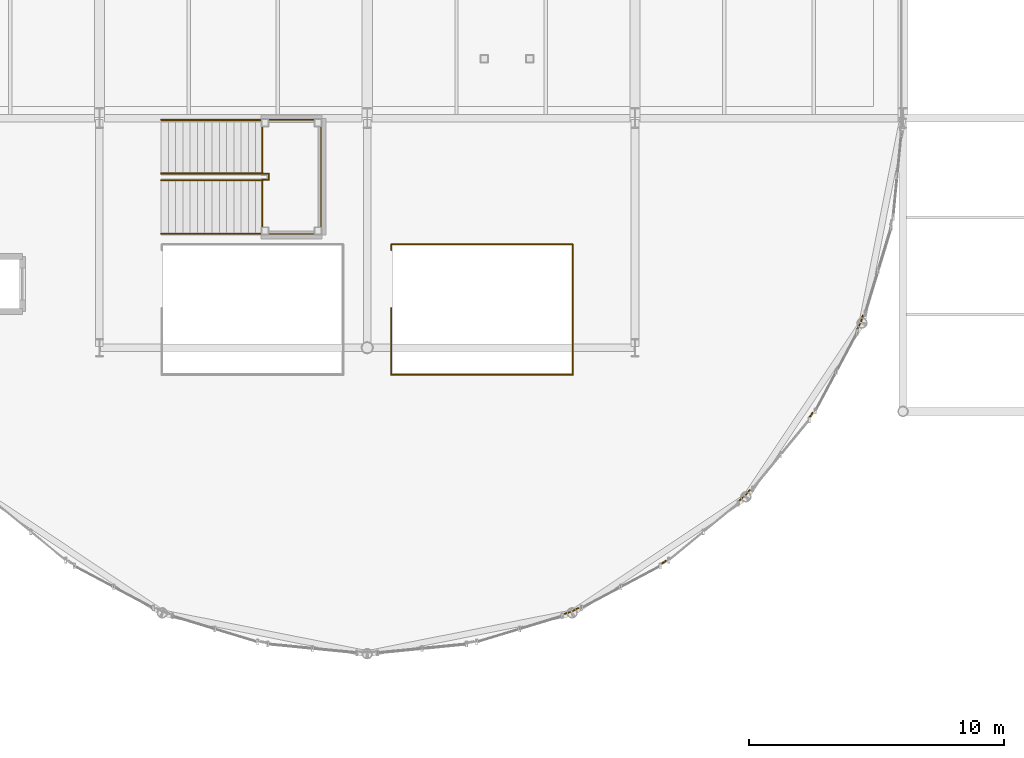
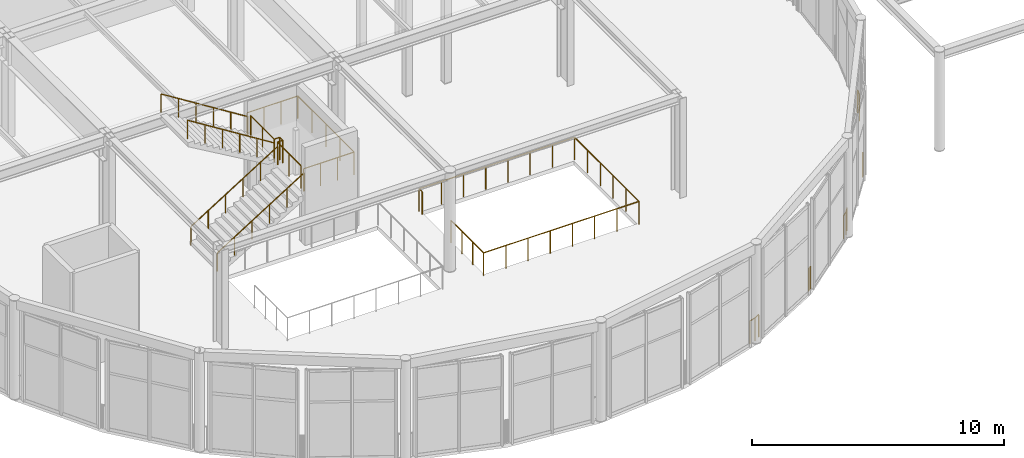
# One storey, part 120 of 143: 13 railings.
"""IFC4 building model written with IfcOpenShell, lengths in metres."""

from ifc_helpers import new_model, si_unit, direction, frame, origin, origin_2d, place, context, subcontext, project, spatial, circle, extrude, material, type_object, element, save


model = new_model("IFC4")

# Units and contexts
model_context = context("Model", 3, precision=1e-05, world=origin(), true_north=direction((0.0, 1.0)))
body_context = subcontext(model_context, "Body", "Model", "MODEL_VIEW")
ifc_project = project(units=[si_unit("LENGTHUNIT", "METRE"), si_unit("AREAUNIT", "SQUARE_METRE"), si_unit("VOLUMEUNIT", "CUBIC_METRE"), si_unit("PLANEANGLEUNIT", "RADIAN"), si_unit("MASSUNIT", "GRAM", prefix="KILO")], contexts=[model_context])

# Site, building, storey
site_placement = place(None, origin())
site = spatial("IfcSite", under=ifc_project, at=site_placement, CompositionType="ELEMENT")
building_placement = place(site_placement, origin())
building = spatial("IfcBuilding", under=site, at=building_placement, Name="Marlcrest Central Station", CompositionType="ELEMENT")
storey_placement = place(building_placement, frame((0.0, 0.0, 4.800048828125)))
storey = spatial("IfcBuildingStorey", under=building, at=storey_placement, Name="L01", CompositionType="ELEMENT", Elevation=4.800048828125)

# Railings
ifc_material_1 = material(Name="Stainless steel and laminated glass concourse balustrade", Category="steel")
railing_type_1 = type_object("IfcRailingType", Name="GR-02", PredefinedType="BALUSTRADE", material=ifc_material_1)
railing_1_placement = place(storey_placement, frame((103.8701171875, 17.9599609375, 2.5)))
element("IfcRailing", 1, at=railing_1_placement, inside=storey, type_object=railing_type_1, Name="hr-L01-00185", PredefinedType="BALUSTRADE", context=body_context, shape_type="SweptSolid", body=[
    extrude(circle(Radius=0.02392578125, at=origin_2d()), frame((0.0, 0.0, 1.09619140625), z_axis=(1.0, 0.0, 0.0), x_axis=(0.0, 1.0, 0.0)), (0.0, 0.0, 1.0), 2.31982421875),
    extrude(circle(Radius=0.02392578125, at=origin_2d()), frame((2.31982421875, 0.0, 1.09619140625), z_axis=(0.0, 1.0, 0.0), x_axis=(-1.0, 0.0, 0.0)), (0.0, 0.0, 1.0), 4.47998046875),
    extrude(circle(Radius=0.02392578125, at=origin_2d()), frame((2.31982421875, 4.47998046875, 1.09619140625), z_axis=(-1.0, 0.0, 0.0), x_axis=(0.0, -1.0, 0.0)), (0.0, 0.0, 1.0), 2.31982421875),
    extrude(circle(Radius=0.02099609375, at=origin_2d()), origin(), (0.0, 0.0, 1.0), 1.072021484375),
    extrude(circle(Radius=0.02099609375, at=origin_2d()), frame((0.773193359375, 0.0, 0.0)), (0.0, 0.0, 1.0), 1.072021484375),
    extrude(circle(Radius=0.02099609375, at=origin_2d()), frame((1.546630859375, 0.0, 0.0)), (0.0, 0.0, 1.0), 1.072021484375),
    extrude(circle(Radius=0.02099609375, at=origin_2d()), frame((2.31982421875, 0.0, 0.0)), (0.0, 0.0, 1.0), 1.072021484375),
    extrude(circle(Radius=0.02099609375, at=origin_2d()), frame((2.31982421875, 1.1201171875, 0.0)), (0.0, 0.0, 1.0), 1.072021484375),
    extrude(circle(Radius=0.02099609375, at=origin_2d()), frame((2.31982421875, 2.239990234375, 0.0)), (0.0, 0.0, 1.0), 1.072021484375),
    extrude(circle(Radius=0.02099609375, at=origin_2d()), frame((2.31982421875, 3.35986328125, 0.0)), (0.0, 0.0, 1.0), 1.072021484375),
    extrude(circle(Radius=0.02099609375, at=origin_2d()), frame((2.31982421875, 4.47998046875, 0.0)), (0.0, 0.0, 1.0), 1.072021484375),
    extrude(circle(Radius=0.02099609375, at=origin_2d()), frame((1.546630859375, 4.47998046875, 0.0)), (0.0, 0.0, 1.0), 1.072021484375),
    extrude(circle(Radius=0.02099609375, at=origin_2d()), frame((0.773193359375, 4.47998046875, 0.0)), (0.0, 0.0, 1.0), 1.072021484375),
    extrude(circle(Radius=0.02099609375, at=origin_2d()), frame((0.0, 4.47998046875, 0.0)), (0.0, 0.0, 1.0), 1.072021484375),
])
railing_2_placement = place(storey_placement, frame((127.428955078125, 14.762939453125, 0.0)))
element("IfcRailing", 2, at=railing_2_placement, inside=storey, type_object=railing_type_1, Name="hr-L01-00406", PredefinedType="BALUSTRADE", context=body_context, shape_type="SweptSolid", body=[
    extrude(circle(Radius=0.02392578125, at=origin_2d()), frame((0.0, 0.0, 1.09619140625), z_axis=(-0.291228991205, -0.956653372273, 0.0), x_axis=(0.956653372273, -0.291228991205, 0.0)), (0.0, 0.0, 1.0), 0.288330078125),
    extrude(circle(Radius=0.02392578125, at=origin_2d()), frame((-0.083984375, -0.27587890625, 1.09619140625), z_axis=(-0.469134550261, -0.883126703113, 0.0), x_axis=(0.883126703113, -0.469134550261, 0.0)), (0.0, 0.0, 1.0), 0.287841796875),
    extrude(circle(Radius=0.02099609375, at=origin_2d()), origin(), (0.0, 0.0, 1.0), 1.072021484375),
    extrude(circle(Radius=0.02099609375, at=origin_2d()), frame((-0.083984375, -0.27587890625, 0.0)), (0.0, 0.0, 1.0), 1.072021484375),
    extrude(circle(Radius=0.02099609375, at=origin_2d()), frame((-0.218994140625, -0.530029296875, 0.0)), (0.0, 0.0, 1.0), 1.072021484375),
])
railing_3_placement = place(storey_placement, frame((125.452880859375, 10.946044921875, 0.0)))
element("IfcRailing", 3, at=railing_3_placement, inside=storey, type_object=railing_type_1, Name="hr-L01-00407", PredefinedType="BALUSTRADE", context=body_context, shape_type="SweptSolid", body=[
    extrude(circle(Radius=0.02392578125, at=origin_2d()), frame((0.0, 0.0, 1.09619140625), z_axis=(-0.464410514373, -0.885620050665, 0.0), x_axis=(0.885620050665, -0.464410514373, 0.0)), (0.0, 0.0, 1.0), 0.09033203125),
    extrude(circle(Radius=0.02392578125, at=origin_2d()), frame((-0.0419921875, -0.080078125, 1.09619140625), z_axis=(-0.636952090501, -0.770903388504, 0.0), x_axis=(0.770903388504, -0.636952090501, 0.0)), (0.0, 0.0, 1.0), 0.08935546875),
    extrude(circle(Radius=0.02099609375, at=origin_2d()), origin(), (0.0, 0.0, 1.0), 1.072021484375),
    extrude(circle(Radius=0.02099609375, at=origin_2d()), frame((-0.0419921875, -0.080078125, 0.0)), (0.0, 0.0, 1.0), 1.072021484375),
    extrude(circle(Radius=0.02099609375, at=origin_2d()), frame((-0.098876953125, -0.14892578125, 0.0)), (0.0, 0.0, 1.0), 1.072021484375),
])
railing_4_placement = place(storey_placement, frame((122.989013671875, 7.916015625, 0.0)))
element("IfcRailing", 4, at=railing_4_placement, inside=storey, type_object=railing_type_1, Name="hr-L01-00408", PredefinedType="BALUSTRADE", context=body_context, shape_type="SweptSolid", body=[
    extrude(circle(Radius=0.02392578125, at=origin_2d()), frame((0.0, 0.0, 1.09619140625), z_axis=(-0.636420822133, -0.771342036425, 0.0), x_axis=(0.771342036425, -0.636420822133, 0.0)), (0.0, 0.0, 1.0), 0.28759765625),
    extrude(circle(Radius=0.02392578125, at=origin_2d()), frame((-0.18310546875, -0.221923828125, 1.09619140625), z_axis=(-0.771342036425, -0.636420822133, 0.0), x_axis=(0.636420822133, -0.771342036425, 0.0)), (0.0, 0.0, 1.0), 0.28759765625),
    extrude(circle(Radius=0.02099609375, at=origin_2d()), origin(), (0.0, 0.0, 1.0), 1.072021484375),
    extrude(circle(Radius=0.02099609375, at=origin_2d()), frame((-0.18310546875, -0.221923828125, 0.0)), (0.0, 0.0, 1.0), 1.072021484375),
    extrude(circle(Radius=0.02099609375, at=origin_2d()), frame((-0.405029296875, -0.405029296875, 0.0)), (0.0, 0.0, 1.0), 1.072021484375),
])
railing_5_placement = place(storey_placement, frame((119.702880859375, 5.14599609375, 0.0)))
element("IfcRailing", 5, at=railing_5_placement, inside=storey, type_object=railing_type_1, Name="hr-L01-00409", PredefinedType="BALUSTRADE", context=body_context, shape_type="SweptSolid", body=[
    extrude(circle(Radius=0.02392578125, at=origin_2d()), frame((0.0, 0.0, 1.09619140625), z_axis=(-0.770903388504, -0.636952090501, 0.0), x_axis=(0.636952090501, -0.770903388504, 0.0)), (0.0, 0.0, 1.0), 0.08935546875),
    extrude(circle(Radius=0.02392578125, at=origin_2d()), frame((-0.06884765625, -0.056884765625, 1.09619140625), z_axis=(-0.885620050665, -0.464410514373, 0.0), x_axis=(0.464410514373, -0.885620050665, 0.0)), (0.0, 0.0, 1.0), 0.09033203125),
    extrude(circle(Radius=0.02099609375, at=origin_2d()), origin(), (0.0, 0.0, 1.0), 1.072021484375),
    extrude(circle(Radius=0.02099609375, at=origin_2d()), frame((-0.06884765625, -0.056884765625, 0.0)), (0.0, 0.0, 1.0), 1.072021484375),
    extrude(circle(Radius=0.02099609375, at=origin_2d()), frame((-0.14892578125, -0.098876953125, 0.0)), (0.0, 0.0, 1.0), 1.072021484375),
])
railing_6_placement = place(storey_placement, frame((116.26708984375, 3.2900390625, 0.0)))
element("IfcRailing", 6, at=railing_6_placement, inside=storey, type_object=railing_type_1, Name="hr-L01-00410", PredefinedType="BALUSTRADE", context=body_context, shape_type="SweptSolid", body=[
    extrude(circle(Radius=0.02392578125, at=origin_2d()), frame((0.0, 0.0, 1.09619140625), z_axis=(-0.883126703113, -0.469134550261, 0.0), x_axis=(0.469134550261, -0.883126703113, 0.0)), (0.0, 0.0, 1.0), 0.287841796875),
    extrude(circle(Radius=0.02392578125, at=origin_2d()), frame((-0.254150390625, -0.135009765625, 1.09619140625), z_axis=(-0.956653372273, -0.291228991205, 0.0), x_axis=(0.291228991205, -0.956653372273, 0.0)), (0.0, 0.0, 1.0), 0.288330078125),
    extrude(circle(Radius=0.02099609375, at=origin_2d()), origin(), (0.0, 0.0, 1.0), 1.072021484375),
    extrude(circle(Radius=0.02099609375, at=origin_2d()), frame((-0.254150390625, -0.135009765625, 0.0)), (0.0, 0.0, 1.0), 1.072021484375),
    extrude(circle(Radius=0.02099609375, at=origin_2d()), frame((-0.530029296875, -0.218994140625, 0.0)), (0.0, 0.0, 1.0), 1.072021484375),
])
railing_7_placement = place(storey_placement, frame((116.06005859375, 12.43994140625, 0.0)))
element("IfcRailing", 7, at=railing_7_placement, inside=storey, type_object=railing_type_1, Name="hr-L01-00422", PredefinedType="BALUSTRADE", context=body_context, shape_type="SweptSolid", body=[
    extrude(circle(Radius=0.02392578125, at=origin_2d()), frame((0.0, 0.0, 1.09619140625), z_axis=(0.0, 1.0, 0.0), x_axis=(-1.0, 0.0, 0.0)), (0.0, 0.0, 1.0), 5.1201171875),
    extrude(circle(Radius=0.02392578125, at=origin_2d()), frame((0.0, 5.1201171875, 1.09619140625), z_axis=(-1.0, 0.0, 0.0), x_axis=(0.0, -1.0, 0.0)), (0.0, 0.0, 1.0), 7.1201171875),
    extrude(circle(Radius=0.02392578125, at=origin_2d()), frame((-7.1201171875, 5.1201171875, 1.09619140625), z_axis=(0.0, -1.0, 0.0), x_axis=(1.0, 0.0, 0.0)), (0.0, 0.0, 1.0), 0.239990234375),
    extrude(circle(Radius=0.02099609375, at=origin_2d()), origin(), (0.0, 0.0, 1.0), 1.072021484375),
    extrude(circle(Radius=0.02099609375, at=origin_2d()), frame((0.0, 1.02392578125, 0.0)), (0.0, 0.0, 1.0), 1.072021484375),
    extrude(circle(Radius=0.02099609375, at=origin_2d()), frame((0.0, 2.048095703125, 0.0)), (0.0, 0.0, 1.0), 1.072021484375),
    extrude(circle(Radius=0.02099609375, at=origin_2d()), frame((0.0, 3.072021484375, 0.0)), (0.0, 0.0, 1.0), 1.072021484375),
    extrude(circle(Radius=0.02099609375, at=origin_2d()), frame((0.0, 4.09619140625, 0.0)), (0.0, 0.0, 1.0), 1.072021484375),
    extrude(circle(Radius=0.02099609375, at=origin_2d()), frame((0.0, 5.1201171875, 0.0)), (0.0, 0.0, 1.0), 1.072021484375),
    extrude(circle(Radius=0.02099609375, at=origin_2d()), frame((-1.01708984375, 5.1201171875, 0.0)), (0.0, 0.0, 1.0), 1.072021484375),
    extrude(circle(Radius=0.02099609375, at=origin_2d()), frame((-2.034423828125, 5.1201171875, 0.0)), (0.0, 0.0, 1.0), 1.072021484375),
    extrude(circle(Radius=0.02099609375, at=origin_2d()), frame((-3.051513671875, 5.1201171875, 0.0)), (0.0, 0.0, 1.0), 1.072021484375),
    extrude(circle(Radius=0.02099609375, at=origin_2d()), frame((-4.068603515625, 5.1201171875, 0.0)), (0.0, 0.0, 1.0), 1.072021484375),
    extrude(circle(Radius=0.02099609375, at=origin_2d()), frame((-5.085693359375, 5.1201171875, 0.0)), (0.0, 0.0, 1.0), 1.072021484375),
    extrude(circle(Radius=0.02099609375, at=origin_2d()), frame((-6.10302734375, 5.1201171875, 0.0)), (0.0, 0.0, 1.0), 1.072021484375),
    extrude(circle(Radius=0.02099609375, at=origin_2d()), frame((-7.1201171875, 5.1201171875, 0.0)), (0.0, 0.0, 1.0), 1.072021484375),
    extrude(circle(Radius=0.02099609375, at=origin_2d()), frame((-7.1201171875, 4.880126953125, 0.0)), (0.0, 0.0, 1.0), 1.072021484375),
])
railing_8_placement = place(storey_placement, frame((108.93994140625, 15.0400390625, 0.0)))
element("IfcRailing", 8, at=railing_8_placement, inside=storey, type_object=railing_type_1, Name="hr-L01-00423", PredefinedType="BALUSTRADE", context=body_context, shape_type="SweptSolid", body=[
    extrude(circle(Radius=0.02392578125, at=origin_2d()), frame((0.0, 0.0, 1.09619140625), z_axis=(0.0, -1.0, 0.0), x_axis=(1.0, 0.0, 0.0)), (0.0, 0.0, 1.0), 2.60009765625),
    extrude(circle(Radius=0.02392578125, at=origin_2d()), frame((0.0, -2.60009765625, 1.09619140625), z_axis=(1.0, 0.0, 0.0), x_axis=(0.0, 1.0, 0.0)), (0.0, 0.0, 1.0), 7.1201171875),
    extrude(circle(Radius=0.02099609375, at=origin_2d()), origin(), (0.0, 0.0, 1.0), 1.072021484375),
    extrude(circle(Radius=0.02099609375, at=origin_2d()), frame((0.0, -0.86669921875, 0.0)), (0.0, 0.0, 1.0), 1.072021484375),
    extrude(circle(Radius=0.02099609375, at=origin_2d()), frame((0.0, -1.7333984375, 0.0)), (0.0, 0.0, 1.0), 1.072021484375),
    extrude(circle(Radius=0.02099609375, at=origin_2d()), frame((0.0, -2.60009765625, 0.0)), (0.0, 0.0, 1.0), 1.072021484375),
    extrude(circle(Radius=0.02099609375, at=origin_2d()), frame((1.01708984375, -2.60009765625, 0.0)), (0.0, 0.0, 1.0), 1.072021484375),
    extrude(circle(Radius=0.02099609375, at=origin_2d()), frame((2.034423828125, -2.60009765625, 0.0)), (0.0, 0.0, 1.0), 1.072021484375),
    extrude(circle(Radius=0.02099609375, at=origin_2d()), frame((3.051513671875, -2.60009765625, 0.0)), (0.0, 0.0, 1.0), 1.072021484375),
    extrude(circle(Radius=0.02099609375, at=origin_2d()), frame((4.068603515625, -2.60009765625, 0.0)), (0.0, 0.0, 1.0), 1.072021484375),
    extrude(circle(Radius=0.02099609375, at=origin_2d()), frame((5.085693359375, -2.60009765625, 0.0)), (0.0, 0.0, 1.0), 1.072021484375),
    extrude(circle(Radius=0.02099609375, at=origin_2d()), frame((6.10302734375, -2.60009765625, 0.0)), (0.0, 0.0, 1.0), 1.072021484375),
    extrude(circle(Radius=0.02099609375, at=origin_2d()), frame((7.1201171875, -2.60009765625, 0.0)), (0.0, 0.0, 1.0), 1.072021484375),
])
railing_9_placement = place(storey_placement, frame((103.889892578125, 18.2099609375, 2.5)))
element("IfcRailing", 9, at=railing_9_placement, inside=storey, type_object=railing_type_1, Name="hr-L01-00591", PredefinedType="BALUSTRADE", context=body_context, shape_type="SweptSolid", body=[
    extrude(circle(Radius=0.02392578125, at=origin_2d()), frame((0.0, 0.0, 1.09619140625), z_axis=(0.0, 1.0, 0.0), x_axis=(-1.0, 0.0, 0.0)), (0.0, 0.0, 1.0), 1.8701171875),
    extrude(circle(Radius=0.02392578125, at=origin_2d()), frame((0.0, 1.8701171875, 1.09619140625), z_axis=(1.0, 0.0, 0.0), x_axis=(0.0, 1.0, 0.0)), (0.0, 0.0, 1.0), 0.25),
    extrude(circle(Radius=0.02392578125, at=origin_2d()), frame((0.25, 1.8701171875, 1.09619140625), z_axis=(0.0, 1.0, 0.0), x_axis=(-1.0, 0.0, 0.0)), (0.0, 0.0, 1.0), 0.239990234375),
    extrude(circle(Radius=0.02392578125, at=origin_2d()), frame((0.25, 2.110107421875, 1.09619140625), z_axis=(-1.0, 0.0, 0.0), x_axis=(0.0, -1.0, 0.0)), (0.0, 0.0, 1.0), 0.25),
    extrude(circle(Radius=0.02392578125, at=origin_2d()), frame((0.0, 2.110107421875, 1.09619140625), z_axis=(0.0, 1.0, 0.0), x_axis=(-1.0, 0.0, 0.0)), (0.0, 0.0, 1.0), 1.869873046875),
    extrude(circle(Radius=0.02099609375, at=origin_2d()), origin(), (0.0, 0.0, 1.0), 1.072021484375),
    extrude(circle(Radius=0.02099609375, at=origin_2d()), frame((0.0, 0.93505859375, 0.0)), (0.0, 0.0, 1.0), 1.072021484375),
    extrude(circle(Radius=0.02099609375, at=origin_2d()), frame((0.0, 1.8701171875, 0.0)), (0.0, 0.0, 1.0), 1.072021484375),
    extrude(circle(Radius=0.02099609375, at=origin_2d()), frame((0.25, 1.8701171875, 0.0)), (0.0, 0.0, 1.0), 1.072021484375),
    extrude(circle(Radius=0.02099609375, at=origin_2d()), frame((0.25, 2.110107421875, 0.0)), (0.0, 0.0, 1.0), 1.072021484375),
    extrude(circle(Radius=0.02099609375, at=origin_2d()), frame((0.0, 2.110107421875, 0.0)), (0.0, 0.0, 1.0), 1.072021484375),
    extrude(circle(Radius=0.02099609375, at=origin_2d()), frame((0.0, 3.044921875, 0.0)), (0.0, 0.0, 1.0), 1.072021484375),
    extrude(circle(Radius=0.02099609375, at=origin_2d()), frame((0.0, 3.97998046875, 0.0)), (0.0, 0.0, 1.0), 1.072021484375),
])
ifc_material_2 = material(Name="Brushed stainless steel handrail", Category="steel")
railing_type_2 = type_object("IfcRailingType", Name="HR-01", PredefinedType="HANDRAIL", material=ifc_material_2)
railing_10_placement = place(storey_placement, frame((99.919921875, 17.969970703125, 0.0)))
element("IfcRailing", 10, at=railing_10_placement, inside=storey, type_object=railing_type_2, Name="hr-L01-00181", PredefinedType="HANDRAIL", context=body_context, shape_type="SweptSolid", body=[
    extrude(circle(Radius=0.02392578125, at=origin_2d()), frame((0.0, 0.0, 0.89599609375), z_axis=(0.847400605549, 0.0, 0.530954059892), x_axis=(0.0, 1.0, 0.0)), (0.0, 0.0, 1.0), 4.70849609375),
    extrude(circle(Radius=0.02099609375, at=origin_2d()), origin(), (0.0, 0.0, 1.0), 0.871826171875),
    extrude(circle(Radius=0.02099609375, at=origin_2d()), frame((0.798095703125, 0.0, 0.5)), (0.0, 0.0, 1.0), 0.871826171875),
    extrude(circle(Radius=0.02099609375, at=origin_2d()), frame((1.595947265625, 0.0, 1.0)), (0.0, 0.0, 1.0), 0.871826171875),
    extrude(circle(Radius=0.02099609375, at=origin_2d()), frame((2.39404296875, 0.0, 1.5)), (0.0, 0.0, 1.0), 0.871826171875),
    extrude(circle(Radius=0.02099609375, at=origin_2d()), frame((3.19189453125, 0.0, 2.0)), (0.0, 0.0, 1.0), 0.871826171875),
    extrude(circle(Radius=0.02099609375, at=origin_2d()), frame((3.989990234375, 0.0, 2.5)), (0.0, 0.0, 1.0), 0.871826171875),
])
railing_11_placement = place(storey_placement, frame((103.909912109375, 20.330078125, 2.5)))
element("IfcRailing", 11, at=railing_11_placement, inside=storey, type_object=railing_type_2, Name="hr-L01-00182", PredefinedType="HANDRAIL", context=body_context, shape_type="SweptSolid", body=[
    extrude(circle(Radius=0.02392578125, at=origin_2d()), frame((0.0, 0.0, 0.89599609375), z_axis=(-0.847400605549, 0.0, 0.530954059892), x_axis=(0.0, -1.0, 0.0)), (0.0, 0.0, 1.0), 4.70849609375),
    extrude(circle(Radius=0.02099609375, at=origin_2d()), origin(), (0.0, 0.0, 1.0), 0.871826171875),
    extrude(circle(Radius=0.02099609375, at=origin_2d()), frame((-0.798095703125, 0.0, 0.5)), (0.0, 0.0, 1.0), 0.871826171875),
    extrude(circle(Radius=0.02099609375, at=origin_2d()), frame((-1.595947265625, 0.0, 1.0)), (0.0, 0.0, 1.0), 0.871826171875),
    extrude(circle(Radius=0.02099609375, at=origin_2d()), frame((-2.39404296875, 0.0, 1.5)), (0.0, 0.0, 1.0), 0.871826171875),
    extrude(circle(Radius=0.02099609375, at=origin_2d()), frame((-3.19189453125, 0.0, 2.0)), (0.0, 0.0, 1.0), 0.871826171875),
    extrude(circle(Radius=0.02099609375, at=origin_2d()), frame((-3.989990234375, 0.0, 2.5)), (0.0, 0.0, 1.0), 0.871826171875),
])
railing_12_placement = place(storey_placement, frame((99.919921875, 20.070068359375, 0.0)))
element("IfcRailing", 12, at=railing_12_placement, inside=storey, type_object=railing_type_2, Name="hr-L01-00183", PredefinedType="HANDRAIL", context=body_context, shape_type="SweptSolid", body=[
    extrude(circle(Radius=0.02392578125, at=origin_2d()), frame((0.0, 0.0, 0.89599609375), z_axis=(0.847400605549, 0.0, 0.530954059892), x_axis=(0.0, 1.0, 0.0)), (0.0, 0.0, 1.0), 4.70849609375),
    extrude(circle(Radius=0.02099609375, at=origin_2d()), origin(), (0.0, 0.0, 1.0), 0.871826171875),
    extrude(circle(Radius=0.02099609375, at=origin_2d()), frame((0.798095703125, 0.0, 0.5)), (0.0, 0.0, 1.0), 0.871826171875),
    extrude(circle(Radius=0.02099609375, at=origin_2d()), frame((1.595947265625, 0.0, 1.0)), (0.0, 0.0, 1.0), 0.871826171875),
    extrude(circle(Radius=0.02099609375, at=origin_2d()), frame((2.39404296875, 0.0, 1.5)), (0.0, 0.0, 1.0), 0.871826171875),
    extrude(circle(Radius=0.02099609375, at=origin_2d()), frame((3.19189453125, 0.0, 2.0)), (0.0, 0.0, 1.0), 0.871826171875),
    extrude(circle(Radius=0.02099609375, at=origin_2d()), frame((3.989990234375, 0.0, 2.5)), (0.0, 0.0, 1.0), 0.871826171875),
])
railing_13_placement = place(storey_placement, frame((103.909912109375, 22.429931640625, 2.5)))
element("IfcRailing", 13, at=railing_13_placement, inside=storey, type_object=railing_type_2, Name="hr-L01-00184", PredefinedType="HANDRAIL", context=body_context, shape_type="SweptSolid", body=[
    extrude(circle(Radius=0.02392578125, at=origin_2d()), frame((0.0, 0.0, 0.89599609375), z_axis=(-0.847400605549, 0.0, 0.530954059892), x_axis=(0.0, -1.0, 0.0)), (0.0, 0.0, 1.0), 4.70849609375),
    extrude(circle(Radius=0.02099609375, at=origin_2d()), origin(), (0.0, 0.0, 1.0), 0.871826171875),
    extrude(circle(Radius=0.02099609375, at=origin_2d()), frame((-0.798095703125, 0.0, 0.5)), (0.0, 0.0, 1.0), 0.871826171875),
    extrude(circle(Radius=0.02099609375, at=origin_2d()), frame((-1.595947265625, 0.0, 1.0)), (0.0, 0.0, 1.0), 0.871826171875),
    extrude(circle(Radius=0.02099609375, at=origin_2d()), frame((-2.39404296875, 0.0, 1.5)), (0.0, 0.0, 1.0), 0.871826171875),
    extrude(circle(Radius=0.02099609375, at=origin_2d()), frame((-3.19189453125, 0.0, 2.0)), (0.0, 0.0, 1.0), 0.871826171875),
    extrude(circle(Radius=0.02099609375, at=origin_2d()), frame((-3.989990234375, 0.0, 2.5)), (0.0, 0.0, 1.0), 0.871826171875),
])

save(model, "model.ifc")
